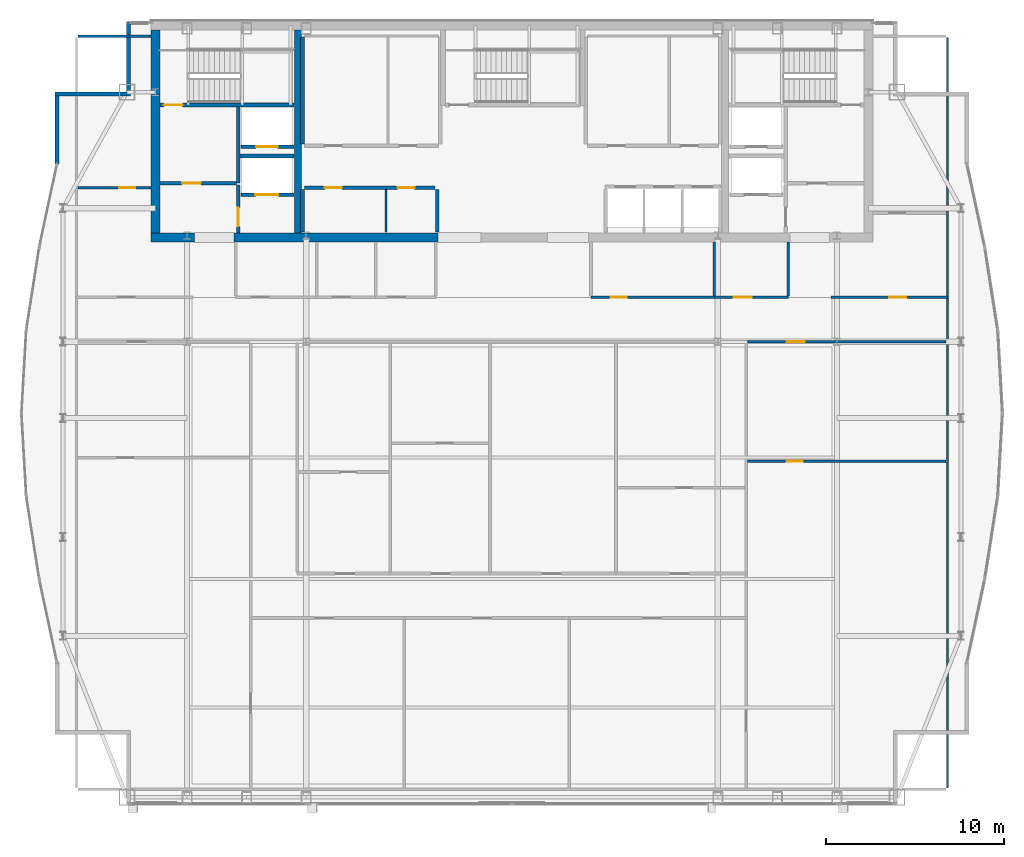
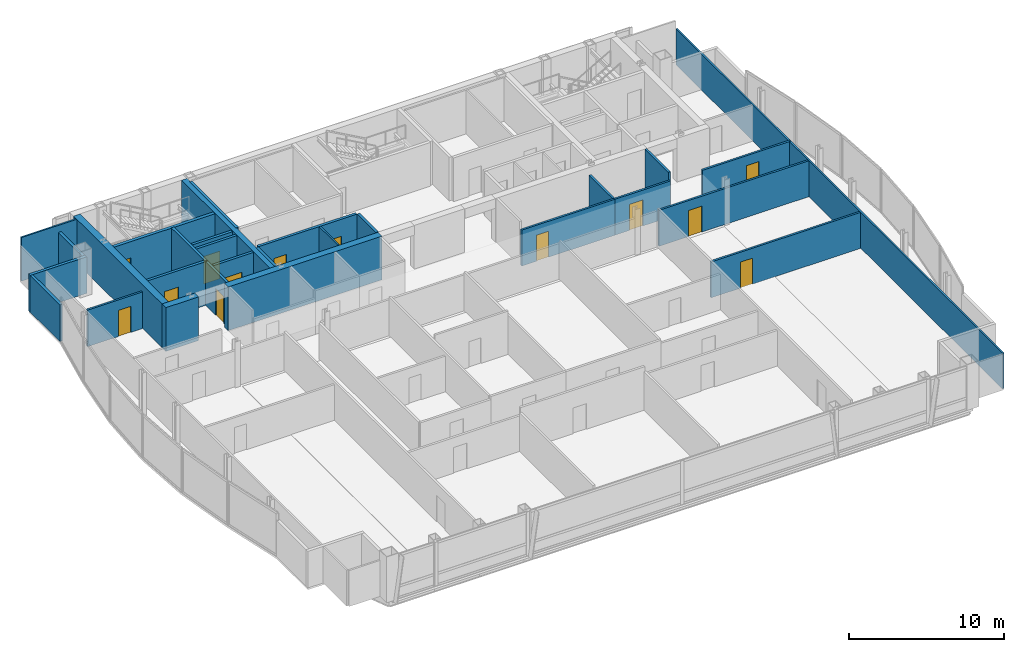
# One storey, part 25 of 29: 29 walls, 13 doors, 13 openings.
"""IFC4 building model written with IfcOpenShell, lengths in metres."""

from ifc_helpers import new_model, si_unit, direction, frame, frame_2d, origin, place, context, subcontext, project, spatial, rectangle, extrude, material, layer, layer_set, type_object, element, fill, save


model = new_model("IFC4")

# Units and contexts
model_context = context("Model", 3, precision=1e-05, world=origin(), true_north=direction((0.0, 1.0)))
body_context = subcontext(model_context, "Body", "Model", "MODEL_VIEW")
ifc_project = project(units=[si_unit("LENGTHUNIT", "METRE"), si_unit("AREAUNIT", "SQUARE_METRE"), si_unit("VOLUMEUNIT", "CUBIC_METRE"), si_unit("PLANEANGLEUNIT", "RADIAN"), si_unit("MASSUNIT", "GRAM", prefix="KILO")], contexts=[model_context])

# Site, building, storey
site_placement = place(None, origin())
site = spatial("IfcSite", under=ifc_project, at=site_placement, CompositionType="ELEMENT")
building_placement = place(site_placement, origin())
building = spatial("IfcBuilding", under=site, at=building_placement, Name="Khoronbel Lancet Exchange", CompositionType="ELEMENT")
storey_placement = place(building_placement, frame((0.0, 0.0, 329.0)))
storey = spatial("IfcBuildingStorey", under=building, at=storey_placement, Name="L85", CompositionType="ELEMENT", Elevation=329.0)

# Walls
ifc_material_1 = material(Name="Concrete C60/75", Category="concrete")
ifc_layer_1 = layer(ifc_material_1, 0.5, Name="Concrete C60/75")
ifc_layer_set_1 = layer_set([ifc_layer_1], Name="Concrete C60/75")
wall_type_1 = type_object("IfcWallType", Name="WL-CW4", PredefinedType="SHEAR", material=ifc_layer_set_1)
wall_1_placement = place(storey_placement, frame((16.449951171875, 41.800048828125, 0.0), z_axis=(0.0, 0.0, 1.0), x_axis=(0.0, 1.0, 0.0)))
element("IfcWall", 1, at=wall_1_placement, inside=storey, type_object=wall_type_1, Name="Level L85 rear core west shear wall", PredefinedType="SHEAR", context=body_context, shape_type="SweptSolid", body=[
    extrude(rectangle(XDim=11.39990234375, YDim=0.5, at=frame_2d((5.699951171875, 0.0))), origin(), (0.0, 0.0, 1.0), 3.43994140625),
])
wall_2_placement = place(storey_placement, frame((18.64990234375, 41.550048828125, 0.0), z_axis=(0.0, 0.0, 1.0), x_axis=(-1.0, 0.0, 0.0)))
element("IfcWall", 2, at=wall_2_placement, inside=storey, type_object=wall_type_1, Name="Level L85 rear core south shear wall pier P1", PredefinedType="SHEAR", context=body_context, shape_type="SweptSolid", body=[
    extrude(rectangle(XDim=2.449951171875, YDim=0.5, at=frame_2d((1.22509765625, 0.0))), origin(), (0.0, 0.0, 1.0), 3.43994140625),
])
wall_3_placement = place(storey_placement, frame((32.300048828125, 41.550048828125, 0.0), z_axis=(0.0, 0.0, 1.0), x_axis=(-1.0, 0.0, 0.0)))
element("IfcWall", 3, at=wall_3_placement, inside=storey, type_object=wall_type_1, Name="Level L85 rear core south shear wall pier P2", PredefinedType="SHEAR", context=body_context, shape_type="SweptSolid", body=[
    extrude(rectangle(XDim=11.449951171875, YDim=0.5, at=frame_2d((5.72509765625, 0.0))), origin(), (0.0, 0.0, 1.0), 3.43994140625),
])
ifc_material_2 = material(Name="Precast concrete C40/50", Category="concrete")
ifc_layer_2 = layer(ifc_material_2, 0.25, Name="Precast concrete C40/50")
ifc_layer_set_2 = layer_set([ifc_layer_2], Name="Precast concrete C40/50")
wall_type_2 = type_object("IfcWallType", Name="WL-EXT250", PredefinedType="SOLIDWALL", material=ifc_layer_set_2)
wall_4_placement = place(storey_placement, frame((10.93994140625, 45.67041015625, 0.0), z_axis=(0.0, 0.0, 1.0), x_axis=(0.0, 1.0, 0.0)))
element("IfcWall", 4, at=wall_4_placement, inside=storey, type_object=wall_type_2, Name="Level L85 notched-corner limestone pier 10", PredefinedType="SOLIDWALL", context=body_context, shape_type="SweptSolid", body=[
    extrude(rectangle(XDim=3.82958984375, YDim=0.219970703125, at=frame_2d((1.914794921875, 0.0))), origin(), (0.0, 0.0, 1.0), 2.8798828125),
])
wall_5_placement = place(storey_placement, frame((10.830078125, 49.610107421875, 0.0), z_axis=(0.0, 0.0, 1.0), x_axis=(1.0, 0.0, 0.0)))
element("IfcWall", 5, at=wall_5_placement, inside=storey, type_object=wall_type_2, Name="Level L85 notched-corner limestone pier 11", PredefinedType="SOLIDWALL", context=body_context, shape_type="SweptSolid", body=[
    extrude(rectangle(XDim=4.219970703125, YDim=0.219970703125, at=frame_2d((2.10986328125, 0.0))), origin(), (0.0, 0.0, 1.0), 2.8798828125),
])
wall_6_placement = place(storey_placement, frame((14.93994140625, 49.719970703125, 0.0), z_axis=(0.0, 0.0, 1.0), x_axis=(0.0, 1.0, 0.0)))
element("IfcWall", 6, at=wall_6_placement, inside=storey, type_object=wall_type_2, Name="Level L85 notched-corner limestone pier 12", PredefinedType="SOLIDWALL", context=body_context, shape_type="SweptSolid", body=[
    extrude(rectangle(XDim=3.909912109375, YDim=0.219970703125, at=frame_2d((1.955078125, 0.0))), origin(), (0.0, 0.0, 1.0), 2.8798828125),
])
ifc_material_3 = material(Name="Acoustic Metal-Stud & Mineral-Wool Gypsum Partition 120 mm", Category="gypsum")
ifc_layer_3 = layer(ifc_material_3, 0.1201171875, Name="Acoustic Metal-Stud & Mineral-Wool Gypsum Partition 120 mm")
ifc_layer_set_3 = layer_set([ifc_layer_3], Name="Acoustic Metal-Stud & Mineral-Wool Gypsum Partition 120 mm")
wall_type_3 = type_object("IfcWallType", Name="WL-PRT120", PredefinedType="PARTITIONING", material=ifc_layer_set_3)
wall_7_placement = place(storey_placement, frame((47.800048828125, 38.280029296875, 0.0), z_axis=(0.0, 0.0, 1.0), x_axis=(0.0, 1.0, 0.0)))
element("IfcWall", 7, at=wall_7_placement, inside=storey, type_object=wall_type_3, Name="Level L85 interior partition PW-NP-M", PredefinedType="PARTITIONING", context=body_context, shape_type="SweptSolid", body=[
    extrude(rectangle(XDim=3.02001953125, YDim=0.14990234375, at=frame_2d((1.510009765625, 0.0))), origin(), (0.0, 0.0, 1.0), 2.830078125),
])
wall_8_placement = place(storey_placement, frame((51.949951171875, 38.280029296875, 0.0), z_axis=(0.0, 0.0, 1.0), x_axis=(0.0, 1.0, 0.0)))
element("IfcWall", 8, at=wall_8_placement, inside=storey, type_object=wall_type_3, Name="Level L85 interior partition PW-NP-1", PredefinedType="PARTITIONING", context=body_context, shape_type="SweptSolid", body=[
    extrude(rectangle(XDim=3.02001953125, YDim=0.14990234375, at=frame_2d((1.510009765625, 0.0))), origin(), (0.0, 0.0, 1.0), 3.43994140625),
])

# Wall, opening, door
wall_9_placement = place(storey_placement, frame((12.094970703125, 44.35009765625, 0.0), z_axis=(0.0, 0.0, 1.0), x_axis=(1.0, 0.0, 0.0)))
wall_9 = element("IfcWall", 9, at=wall_9_placement, inside=storey, type_object=wall_type_3, Name="Level L85 interior partition PW-NW-H", PredefinedType="PARTITIONING", context=body_context, shape_type="SweptSolid", body=[
    extrude(rectangle(XDim=4.10498046875, YDim=0.14990234375, at=frame_2d((2.052490234375, 0.0))), origin(), (0.0, 0.0, 1.0), 2.8798828125),
])
opening_1_placement = place(wall_9_placement, frame((2.320068359375, 0.0, 0.0)))
opening_1 = element("IfcOpeningElement", 10, at=opening_1_placement, cuts=wall_9, Name="Opening D5", PredefinedType="OPENING", context=body_context, shape_type="SweptSolid", body=[
    extrude(rectangle(XDim=0.89990234375, YDim=2.050048828125, at=frame_2d((0.449951171875, 1.02490234375))), frame((0.0, 0.0849609375, 0.0), z_axis=(0.0, -1.0, 0.0), x_axis=(1.0, 0.0, 0.0)), (0.0, 0.0, 1.0), 0.169921875),
])
ifc_material_4 = material(Name="Acoustic Timber Pantry & Support Door", Category="wood")
door_type_1 = type_object("IfcDoorType", Name="DR-D5", OperationType="NOTDEFINED", PredefinedType="DOOR", material=ifc_material_4)
door_1_placement = place(opening_1_placement, origin())
door_1 = element("IfcDoor", 11, at=door_1_placement, inside=storey, type_object=door_type_1, Name="NW north room door L85-1", OperationType="SINGLE_SWING_LEFT", OverallHeight=2.050048828125, OverallWidth=0.89990234375, PredefinedType="DOOR", context=body_context, shape_type="SweptSolid", body=[
    extrude(rectangle(XDim=0.89990234375, YDim=2.050048828125, at=frame_2d((0.449951171875, 1.02490234375))), frame((0.0, 0.02490234375, 0.0), z_axis=(0.0, -1.0, 0.0), x_axis=(1.0, 0.0, 0.0)), (0.0, 0.0, 1.0), 0.050048828125),
])
fill(opening_1, door_1)

wall_10_placement = place(storey_placement, frame((49.659912109375, 29.0, 0.0), z_axis=(0.0, 0.0, 1.0), x_axis=(1.0, 0.0, 0.0)))
wall_10 = element("IfcWall", 12, at=wall_10_placement, inside=storey, type_object=wall_type_3, Name="Level L85 interior partition PW-Z4-EH", PredefinedType="PARTITIONING", context=body_context, shape_type="SweptSolid", body=[
    extrude(rectangle(XDim=11.14501953125, YDim=0.14990234375, at=frame_2d((5.572509765625, 0.0))), origin(), (0.0, 0.0, 1.0), 2.830078125),
])
opening_2_placement = place(wall_10_placement, frame((2.199951171875, 0.0, 0.0)))
opening_2 = element("IfcOpeningElement", 13, at=opening_2_placement, cuts=wall_10, Name="Opening D5", PredefinedType="OPENING", context=body_context, shape_type="SweptSolid", body=[
    extrude(rectangle(XDim=0.89990234375, YDim=2.050048828125, at=frame_2d((0.449951171875, 1.02490234375))), frame((0.0, 0.0849609375, 0.0), z_axis=(0.0, -1.0, 0.0), x_axis=(1.0, 0.0, 0.0)), (0.0, 0.0, 1.0), 0.169921875),
])
door_2_placement = place(opening_2_placement, origin())
door_2 = element("IfcDoor", 14, at=door_2_placement, inside=storey, type_object=door_type_1, Name="East lens inner door L85-1", OperationType="SINGLE_SWING_RIGHT", OverallHeight=2.050048828125, OverallWidth=0.89990234375, PredefinedType="DOOR", context=body_context, shape_type="SweptSolid", body=[
    extrude(rectangle(XDim=0.89990234375, YDim=2.050048828125, at=frame_2d((0.449951171875, 1.02490234375))), frame((0.0, 0.02490234375, 0.0), z_axis=(0.0, -1.0, 0.0), x_axis=(1.0, 0.0, 0.0)), (0.0, 0.0, 1.0), 0.050048828125),
])
fill(opening_2, door_2)

# Walls
wall_11_placement = place(storey_placement, frame((60.8701171875, 10.6650390625, 0.0), z_axis=(0.0, 0.0, 1.0), x_axis=(0.0, 1.0, 0.0)))
element("IfcWall", 15, at=wall_11_placement, inside=storey, type_object=wall_type_3, Name="Level L85 interior partition PW-LIN-E", PredefinedType="PARTITIONING", context=body_context, shape_type="SweptSolid", body=[
    extrude(rectangle(XDim=42.10986328125, YDim=0.1201171875, at=frame_2d((21.054931640625, 0.0))), origin(), (0.0, 0.0, 1.0), 2.830078125),
])
wall_12_placement = place(storey_placement, frame((12.094970703125, 52.840087890625, 0.0), z_axis=(0.0, 0.0, 1.0), x_axis=(1.0, 0.0, 0.0)))
element("IfcWall", 16, at=wall_12_placement, inside=storey, type_object=wall_type_3, Name="Level L85 interior partition PW-LIN-NW", PredefinedType="PARTITIONING", context=body_context, shape_type="SweptSolid", body=[
    extrude(rectangle(XDim=4.10498046875, YDim=0.1201171875, at=frame_2d((2.052490234375, 0.0))), origin(), (0.0, 0.0, 1.0), 3.43994140625),
])
ifc_material_5 = material(Name="Fire-Rated Metal-Stud & Mineral-Wool Gypsum Partition 120 mm", Category="gypsum")
ifc_layer_4 = layer(ifc_material_5, 0.1201171875, Name="Fire-Rated Metal-Stud & Mineral-Wool Gypsum Partition 120 mm")
ifc_layer_set_4 = layer_set([ifc_layer_4], Name="Fire-Rated Metal-Stud & Mineral-Wool Gypsum Partition 120 mm")
wall_type_4 = type_object("IfcWallType", Name="WL-PRT120F", PredefinedType="PARTITIONING", material=ifc_layer_set_4)
wall_13_placement = place(storey_placement, frame((29.381103515625, 41.85009765625, 0.0), z_axis=(0.0, 0.0, 1.0), x_axis=(0.0, 1.0, 0.0)))
element("IfcWall", 17, at=wall_13_placement, inside=storey, type_object=wall_type_4, Name="Level L85 interior partition CW-PM-RS2", PredefinedType="PARTITIONING", context=body_context, shape_type="SweptSolid", body=[
    extrude(rectangle(XDim=2.39501953125, YDim=0.1201171875, at=frame_2d((1.197509765625, 0.0))), origin(), (0.0, 0.0, 1.0), 3.43994140625),
])

# Wall, opening, door
ifc_material_6 = material(Name="Fire-Rated Twin-Stud Acoustic Gypsum Partition 150 mm", Category="gypsum")
ifc_layer_5 = layer(ifc_material_6, 0.14990234375, Name="Fire-Rated Twin-Stud Acoustic Gypsum Partition 150 mm")
ifc_layer_set_5 = layer_set([ifc_layer_5], Name="Fire-Rated Twin-Stud Acoustic Gypsum Partition 150 mm")
wall_type_5 = type_object("IfcWallType", Name="WL-PRT150C", PredefinedType="PARTITIONING", material=ifc_layer_set_5)
wall_14_placement = place(storey_placement, frame((40.8798828125, 38.199951171875, 0.0), z_axis=(0.0, 0.0, 1.0), x_axis=(1.0, 0.0, 0.0)))
wall_14 = element("IfcWall", 18, at=wall_14_placement, inside=storey, type_object=wall_type_5, Name="Level L85 interior partition PW-NP-S1", PredefinedType="PARTITIONING", context=body_context, shape_type="SweptSolid", body=[
    extrude(rectangle(XDim=6.920166015625, YDim=0.14990234375, at=frame_2d((3.4599609375, 0.0))), origin(), (0.0, 0.0, 1.0), 2.830078125),
])
opening_3_placement = place(wall_14_placement, frame((1.10009765625, 0.0, 0.0)))
opening_3 = element("IfcOpeningElement", 19, at=opening_3_placement, cuts=wall_14, Name="Opening D5", PredefinedType="OPENING", context=body_context, shape_type="SweptSolid", body=[
    extrude(rectangle(XDim=0.89990234375, YDim=2.050048828125, at=frame_2d((0.449951171875, 1.02490234375))), frame((0.0, 0.0849609375, 0.0), z_axis=(0.0, -1.0, 0.0), x_axis=(1.0, 0.0, 0.0)), (0.0, 0.0, 1.0), 0.169921875),
])
door_3_placement = place(opening_3_placement, origin())
door_3 = element("IfcDoor", 20, at=door_3_placement, inside=storey, type_object=door_type_1, Name="Floor refreshment pantry door L85-1", OperationType="SINGLE_SWING_LEFT", OverallHeight=2.050048828125, OverallWidth=0.89990234375, PredefinedType="DOOR", context=body_context, shape_type="SweptSolid", body=[
    extrude(rectangle(XDim=0.89990234375, YDim=2.050048828125, at=frame_2d((0.449951171875, 1.02490234375))), frame((0.0, 0.02490234375, 0.0), z_axis=(0.0, -1.0, 0.0), x_axis=(1.0, 0.0, 0.0)), (0.0, 0.0, 1.0), 0.050048828125),
])
fill(opening_3, door_3)

wall_15_placement = place(storey_placement, frame((47.800048828125, 38.199951171875, 0.0), z_axis=(0.0, 0.0, 1.0), x_axis=(1.0, 0.0, 0.0)))
wall_15 = element("IfcWall", 21, at=wall_15_placement, inside=storey, type_object=wall_type_5, Name="Level L85 interior partition PW-NP-S2", PredefinedType="PARTITIONING", context=body_context, shape_type="SweptSolid", body=[
    extrude(rectangle(XDim=4.14990234375, YDim=0.14990234375, at=frame_2d((2.074951171875, 0.0))), origin(), (0.0, 0.0, 1.0), 2.830078125),
])
opening_4_placement = place(wall_15_placement, frame((1.10009765625, 0.0, 0.0)))
opening_4 = element("IfcOpeningElement", 22, at=opening_4_placement, cuts=wall_15, Name="Opening D2", PredefinedType="OPENING", context=body_context, shape_type="SweptSolid", body=[
    extrude(rectangle(XDim=1.0, YDim=2.050048828125, at=frame_2d((0.5, 1.02490234375))), frame((0.0, 0.0849609375, 0.0), z_axis=(0.0, -1.0, 0.0), x_axis=(1.0, 0.0, 0.0)), (0.0, 0.0, 1.0), 0.169921875),
])
ifc_material_7 = material(Name="Acoustic Veneered Timber & Bronze Frame Door", Category="wood")
door_type_2 = type_object("IfcDoorType", Name="DR-D2", OperationType="NOTDEFINED", PredefinedType="DOOR", material=ifc_material_7)
door_4_placement = place(opening_4_placement, origin())
door_4 = element("IfcDoor", 23, at=door_4_placement, inside=storey, type_object=door_type_2, Name="Floor store door L85-1", OperationType="SINGLE_SWING_RIGHT", OverallHeight=2.050048828125, OverallWidth=1.0, PredefinedType="DOOR", context=body_context, shape_type="SweptSolid", body=[
    extrude(rectangle(XDim=1.0, YDim=2.050048828125, at=frame_2d((0.5, 1.02490234375))), frame((0.0, 0.02490234375, 0.0), z_axis=(0.0, -1.0, 0.0), x_axis=(1.0, 0.0, 0.0)), (0.0, 0.0, 1.0), 0.050048828125),
])
fill(opening_4, door_4)

wall_16_placement = place(storey_placement, frame((54.35009765625, 38.199951171875, 0.0), z_axis=(0.0, 0.0, 1.0), x_axis=(1.0, 0.0, 0.0)))
wall_16 = element("IfcWall", 24, at=wall_16_placement, inside=storey, type_object=wall_type_5, Name="Level L85 interior partition PW-NE-S", PredefinedType="PARTITIONING", context=body_context, shape_type="SweptSolid", body=[
    extrude(rectangle(XDim=6.52001953125, YDim=0.14990234375, at=frame_2d((3.260009765625, 0.0))), origin(), (0.0, 0.0, 1.0), 2.830078125),
])
opening_5_placement = place(wall_16_placement, frame((3.25, 0.0, 0.0)))
opening_5 = element("IfcOpeningElement", 25, at=opening_5_placement, cuts=wall_16, Name="Opening D1", PredefinedType="OPENING", context=body_context, shape_type="SweptSolid", body=[
    extrude(rectangle(XDim=0.949951171875, YDim=2.050048828125, at=frame_2d((0.47509765625, 1.02490234375))), frame((0.0, 0.0849609375, 0.0), z_axis=(0.0, -1.0, 0.0), x_axis=(1.0, 0.0, 0.0)), (0.0, 0.0, 1.0), 0.169921875),
])
door_type_3 = type_object("IfcDoorType", Name="DR-D1", OperationType="NOTDEFINED", PredefinedType="DOOR", material=ifc_material_7)
door_5_placement = place(opening_5_placement, origin())
door_5 = element("IfcDoor", 26, at=door_5_placement, inside=storey, type_object=door_type_3, Name="NE corner room door L85-1", OperationType="SINGLE_SWING_RIGHT", OverallHeight=2.050048828125, OverallWidth=0.949951171875, PredefinedType="DOOR", context=body_context, shape_type="SweptSolid", body=[
    extrude(rectangle(XDim=0.949951171875, YDim=2.050048828125, at=frame_2d((0.47509765625, 1.02490234375))), frame((0.0, 0.02490234375, 0.0), z_axis=(0.0, -1.0, 0.0), x_axis=(1.0, 0.0, 0.0)), (0.0, 0.0, 1.0), 0.050048828125),
])
fill(opening_5, door_5)

wall_17_placement = place(storey_placement, frame((49.659912109375, 35.699951171875, 0.0), z_axis=(0.0, 0.0, 1.0), x_axis=(1.0, 0.0, 0.0)))
wall_17 = element("IfcWall", 27, at=wall_17_placement, inside=storey, type_object=wall_type_5, Name="Level L85 interior partition PW-Z4-EN2", PredefinedType="PARTITIONING", context=body_context, shape_type="SweptSolid", body=[
    extrude(rectangle(XDim=11.14501953125, YDim=0.14990234375, at=frame_2d((5.572509765625, 0.0))), origin(), (0.0, 0.0, 1.0), 2.830078125),
])
opening_6_placement = place(wall_17_placement, frame((2.199951171875, 0.0, 0.0)))
opening_6 = element("IfcOpeningElement", 28, at=opening_6_placement, cuts=wall_17, Name="Opening D2", PredefinedType="OPENING", context=body_context, shape_type="SweptSolid", body=[
    extrude(rectangle(XDim=1.0, YDim=2.050048828125, at=frame_2d((0.5, 1.02490234375))), frame((0.0, 0.0849609375, 0.0), z_axis=(0.0, -1.0, 0.0), x_axis=(1.0, 0.0, 0.0)), (0.0, 0.0, 1.0), 0.169921875),
])
door_6_placement = place(opening_6_placement, origin())
door_6 = element("IfcDoor", 29, at=door_6_placement, inside=storey, type_object=door_type_2, Name="East lens north door L85-1", OperationType="SINGLE_SWING_LEFT", OverallHeight=2.050048828125, OverallWidth=1.0, PredefinedType="DOOR", context=body_context, shape_type="SweptSolid", body=[
    extrude(rectangle(XDim=1.0, YDim=2.050048828125, at=frame_2d((0.5, 1.02490234375))), frame((0.0, 0.02490234375, 0.0), z_axis=(0.0, -1.0, 0.0), x_axis=(1.0, 0.0, 0.0)), (0.0, 0.0, 1.0), 0.050048828125),
])
fill(opening_6, door_6)

ifc_material_8 = material(Name="Autoclaved Aerated Concrete Blockwork 200 mm", Category="masonry")
ifc_layer_6 = layer(ifc_material_8, 0.199951171875, Name="Autoclaved Aerated Concrete Blockwork 200 mm")
ifc_layer_set_6 = layer_set([ifc_layer_6], Name="Autoclaved Aerated Concrete Blockwork 200 mm")
wall_type_6 = type_object("IfcWallType", Name="WL-PRT200", PredefinedType="PARTITIONING", material=ifc_layer_set_6)
wall_18_placement = place(storey_placement, frame((24.2099609375, 43.949951171875, 0.0), z_axis=(0.0, 0.0, 1.0), x_axis=(-1.0, 0.0, 0.0)))
wall_18 = element("IfcWall", 30, at=wall_18_placement, inside=storey, type_object=wall_type_6, Name="Level L85 elevator hoistway landing front wall SVLW", PredefinedType="PARTITIONING", context=body_context, shape_type="SweptSolid", body=[
    extrude(rectangle(XDim=2.969970703125, YDim=0.199951171875, at=frame_2d((1.48486328125, 0.0))), origin(), (0.0, 0.0, 1.0), 3.43994140625),
])
opening_7_placement = place(wall_18_placement, frame((0.860107421875, 0.0, 0.0)))
opening_7 = element("IfcOpeningElement", 31, at=opening_7_placement, cuts=wall_18, Name="Opening LD-SVL1", PredefinedType="OPENING", context=body_context, shape_type="SweptSolid", body=[
    extrude(rectangle(XDim=1.300048828125, YDim=2.179931640625, at=frame_2d((0.64990234375, 1.08984375))), frame((0.0, 0.10986328125, 0.0), z_axis=(0.0, -1.0, 0.0), x_axis=(1.0, 0.0, 0.0)), (0.0, 0.0, 1.0), 0.219970703125),
])
ifc_material_9 = material(Name="Heavy-Duty Bi-Parting Goods Lift Landing Door", Category="steel")
door_type_4 = type_object("IfcDoorType", Name="DR-LD-SVL", OperationType="NOTDEFINED", PredefinedType="DOOR", material=ifc_material_9)
door_7_placement = place(opening_7_placement, origin())
door_7 = element("IfcDoor", 32, at=door_7_placement, inside=storey, type_object=door_type_4, Name="Elevator landing sliding door LD-SVL1 L85", OperationType="SLIDING_TO_LEFT", OverallHeight=2.179931640625, OverallWidth=1.300048828125, PredefinedType="DOOR", context=body_context, shape_type="SweptSolid", body=[
    extrude(rectangle(XDim=1.300048828125, YDim=2.179931640625, at=frame_2d((0.64990234375, 1.08984375))), frame((0.0, 0.02490234375, 0.0), z_axis=(0.0, -1.0, 0.0), x_axis=(1.0, 0.0, 0.0)), (0.0, 0.0, 1.0), 0.050048828125),
])
fill(opening_7, door_7)

wall_19_placement = place(storey_placement, frame((24.2099609375, 46.64990234375, 0.0), z_axis=(0.0, 0.0, 1.0), x_axis=(-1.0, 0.0, 0.0)))
wall_19 = element("IfcWall", 33, at=wall_19_placement, inside=storey, type_object=wall_type_6, Name="Level L85 elevator hoistway landing front wall FFLW", PredefinedType="PARTITIONING", context=body_context, shape_type="SweptSolid", body=[
    extrude(rectangle(XDim=2.969970703125, YDim=0.199951171875, at=frame_2d((1.48486328125, 0.0))), origin(), (0.0, 0.0, 1.0), 3.43994140625),
])
opening_8_placement = place(wall_19_placement, frame((0.909912109375, 0.0, 0.0)))
opening_8 = element("IfcOpeningElement", 34, at=opening_8_placement, cuts=wall_19, Name="Opening LD-FFL1", PredefinedType="OPENING", context=body_context, shape_type="SweptSolid", body=[
    extrude(rectangle(XDim=1.199951171875, YDim=2.179931640625, at=frame_2d((0.60009765625, 1.08984375))), frame((0.0, 0.10986328125, 0.0), z_axis=(0.0, -1.0, 0.0), x_axis=(1.0, 0.0, 0.0)), (0.0, 0.0, 1.0), 0.219970703125),
])
ifc_material_10 = material(Name="Fire-Rated Stainless Bi-Parting Firefighting Lift Door", Category="steel")
door_type_5 = type_object("IfcDoorType", Name="DR-LD-FFL", OperationType="NOTDEFINED", PredefinedType="DOOR", material=ifc_material_10)
door_8_placement = place(opening_8_placement, origin())
door_8 = element("IfcDoor", 35, at=door_8_placement, inside=storey, type_object=door_type_5, Name="Elevator landing sliding door LD-FFL1 L85", OperationType="SLIDING_TO_LEFT", OverallHeight=2.179931640625, OverallWidth=1.199951171875, PredefinedType="DOOR", context=body_context, shape_type="SweptSolid", body=[
    extrude(rectangle(XDim=1.199951171875, YDim=2.179931640625, at=frame_2d((0.60009765625, 1.08984375))), frame((0.0, 0.02490234375, 0.0), z_axis=(0.0, -1.0, 0.0), x_axis=(1.0, 0.0, 0.0)), (0.0, 0.0, 1.0), 0.050048828125),
])
fill(opening_8, door_8)

# Wall
wall_20_placement = place(storey_placement, frame((21.10009765625, 44.60009765625, 0.0), z_axis=(0.0, 0.0, 1.0), x_axis=(0.0, 1.0, 0.0)))
element("IfcWall", 36, at=wall_20_placement, inside=storey, type_object=wall_type_6, Name="Level L85 interior partition CW-FFLW-E", PredefinedType="PARTITIONING", context=body_context, shape_type="SweptSolid", body=[
    extrude(rectangle(XDim=4.2998046875, YDim=0.199951171875, at=frame_2d((2.14990234375, 0.0))), origin(), (0.0, 0.0, 1.0), 3.43994140625),
])

# Wall, opening, door
wall_21_placement = place(storey_placement, frame((16.699951171875, 44.60009765625, 0.0), z_axis=(0.0, 0.0, 1.0), x_axis=(1.0, 0.0, 0.0)))
wall_21 = element("IfcWall", 37, at=wall_21_placement, inside=storey, type_object=wall_type_6, Name="Level L85 interior partition CW-FFLW-S", PredefinedType="PARTITIONING", context=body_context, shape_type="SweptSolid", body=[
    extrude(rectangle(XDim=4.300048828125, YDim=0.199951171875, at=frame_2d((2.14990234375, 0.0))), origin(), (0.0, 0.0, 1.0), 3.43994140625),
])
opening_9_placement = place(wall_21_placement, frame((1.25, 0.0, 0.0)))
opening_9 = element("IfcOpeningElement", 38, at=opening_9_placement, cuts=wall_21, Name="Opening FD1", PredefinedType="OPENING", context=body_context, shape_type="SweptSolid", body=[
    extrude(rectangle(XDim=1.050048828125, YDim=2.14990234375, at=frame_2d((0.52490234375, 1.074951171875))), frame((0.0, 0.10986328125, 0.0), z_axis=(0.0, -1.0, 0.0), x_axis=(1.0, 0.0, 0.0)), (0.0, 0.0, 1.0), 0.219970703125),
])
ifc_material_11 = material(Name="Fire-Rated Painted Steel Door Assembly", Category="steel")
door_type_6 = type_object("IfcDoorType", Name="DR-FD1", OperationType="NOTDEFINED", PredefinedType="DOOR", material=ifc_material_11)
door_9_placement = place(opening_9_placement, origin())
door_9 = element("IfcDoor", 39, at=door_9_placement, inside=storey, type_object=door_type_6, Name="West firefighting lobby FD90S door L85-1", OperationType="SINGLE_SWING_RIGHT", OverallHeight=2.14990234375, OverallWidth=1.050048828125, PredefinedType="DOOR", context=body_context, shape_type="SweptSolid", body=[
    extrude(rectangle(XDim=1.050048828125, YDim=2.14990234375, at=frame_2d((0.52490234375, 1.074951171875))), frame((0.0, 0.02490234375, 0.0), z_axis=(0.0, -1.0, 0.0), x_axis=(1.0, 0.0, 0.0)), (0.0, 0.0, 1.0), 0.050048828125),
])
fill(opening_9, door_9)

# Wall
wall_22_placement = place(storey_placement, frame((21.199951171875, 46.1201171875, 0.0), z_axis=(0.0, 0.0, 1.0), x_axis=(1.0, 0.0, 0.0)))
element("IfcWall", 40, at=wall_22_placement, inside=storey, type_object=wall_type_6, Name="Level L85 interior partition CW-FFL1-S", PredefinedType="PARTITIONING", context=body_context, shape_type="SweptSolid", body=[
    extrude(rectangle(XDim=3.02001953125, YDim=0.199951171875, at=frame_2d((1.510009765625, 0.0))), origin(), (0.0, 0.0, 1.0), 3.43994140625),
])

# Wall, opening, door
wall_23_placement = place(storey_placement, frame((21.10009765625, 41.800048828125, 0.0), z_axis=(0.0, 0.0, 1.0), x_axis=(0.0, 1.0, 0.0)))
wall_23 = element("IfcWall", 41, at=wall_23_placement, inside=storey, type_object=wall_type_6, Name="Level L85 interior partition CW-SVLW-W", PredefinedType="PARTITIONING", context=body_context, shape_type="SweptSolid", body=[
    extrude(rectangle(XDim=2.695068359375, YDim=0.199951171875, at=frame_2d((1.34765625, 0.0))), origin(), (0.0, 0.0, 1.0), 3.43994140625),
])
opening_10_placement = place(wall_23_placement, frame((0.3798828125, 0.0, 0.0)))
opening_10 = element("IfcOpeningElement", 42, at=opening_10_placement, cuts=wall_23, Name="Opening FD1", PredefinedType="OPENING", context=body_context, shape_type="SweptSolid", body=[
    extrude(rectangle(XDim=1.050048828125, YDim=2.14990234375, at=frame_2d((0.52490234375, 1.074951171875))), frame((0.0, 0.10986328125, 0.0), z_axis=(0.0, -1.0, 0.0), x_axis=(1.0, 0.0, 0.0)), (0.0, 0.0, 1.0), 0.219970703125),
])
door_10_placement = place(opening_10_placement, origin())
door_10 = element("IfcDoor", 43, at=door_10_placement, inside=storey, type_object=door_type_6, Name="West service lift lobby door L85-1", OperationType="SINGLE_SWING_LEFT", OverallHeight=2.14990234375, OverallWidth=1.050048828125, PredefinedType="DOOR", context=body_context, shape_type="SweptSolid", body=[
    extrude(rectangle(XDim=1.050048828125, YDim=2.14990234375, at=frame_2d((0.52490234375, 1.074951171875))), frame((0.0, 0.02490234375, 0.0), z_axis=(0.0, -1.0, 0.0), x_axis=(1.0, 0.0, 0.0)), (0.0, 0.0, 1.0), 0.050048828125),
])
fill(opening_10, door_10)

# Walls
wall_24_placement = place(storey_placement, frame((24.699951171875, 46.804931640625, 0.0), z_axis=(0.0, 0.0, 1.0), x_axis=(0.0, 1.0, 0.0)))
element("IfcWall", 44, at=wall_24_placement, inside=storey, type_object=wall_type_6, Name="Level L85 interior partition CW-PL-RW", PredefinedType="PARTITIONING", context=body_context, shape_type="SweptSolid", body=[
    extrude(rectangle(XDim=5.989990234375, YDim=0.199951171875, at=frame_2d((2.9951171875, 0.0))), origin(), (0.0, 0.0, 1.0), 3.43994140625),
])
for number, where, z_axis, x_axis, name in (
    (45, (24.699951171875, 41.85009765625, 0.0), (0.0, 0.0, 1.0), (0.0, 1.0, 0.0), "Level L85 interior partition CW-PM-RW"),
    (46, (32.25, 41.85009765625, 0.0), (0.0, 0.0, 1.0), (0.0, 1.0, 0.0), "Level L85 interior partition CW-PM-RE"),
):
    element("IfcWall", number, at=place(storey_placement, frame(where, z_axis=z_axis, x_axis=x_axis)), inside=storey, type_object=wall_type_6, Name=name, PredefinedType="PARTITIONING", context=body_context, shape_type="SweptSolid", body=[
        extrude(rectangle(XDim=2.39501953125, YDim=0.199951171875, at=frame_2d((1.197509765625, 0.0))), origin(), (0.0, 0.0, 1.0), 3.43994140625),
    ])

# Wall, openings, doors
wall_25_placement = place(storey_placement, frame((24.804931640625, 44.35009765625, 0.0), z_axis=(0.0, 0.0, 1.0), x_axis=(1.0, 0.0, 0.0)))
wall_25 = element("IfcWall", 47, at=wall_25_placement, inside=storey, type_object=wall_type_6, Name="Level L85 interior partition CW-PM-RF", PredefinedType="PARTITIONING", context=body_context, shape_type="SweptSolid", body=[
    extrude(rectangle(XDim=7.340087890625, YDim=0.199951171875, at=frame_2d((3.669921875, 0.0))), origin(), (0.0, 0.0, 1.0), 3.43994140625),
])
opening_11_placement = place(wall_25_placement, frame((1.14990234375, 0.0, 0.0)))
opening_11 = element("IfcOpeningElement", 48, at=opening_11_placement, cuts=wall_25, Name="Opening FD3", PredefinedType="OPENING", context=body_context, shape_type="SweptSolid", body=[
    extrude(rectangle(XDim=0.949951171875, YDim=2.10009765625, at=frame_2d((0.47509765625, 1.050048828125))), frame((0.0, 0.10986328125, 0.0), z_axis=(0.0, -1.0, 0.0), x_axis=(1.0, 0.0, 0.0)), (0.0, 0.0, 1.0), 0.219970703125),
])
opening_12_placement = place(wall_25_placement, frame((5.23095703125, 0.0, 0.0)))
opening_12 = element("IfcOpeningElement", 49, at=opening_12_placement, cuts=wall_25, Name="Opening FD3", PredefinedType="OPENING", context=body_context, shape_type="SweptSolid", body=[
    extrude(rectangle(XDim=0.949951171875, YDim=2.10009765625, at=frame_2d((0.47509765625, 1.050048828125))), frame((0.0, 0.10986328125, 0.0), z_axis=(0.0, -1.0, 0.0), x_axis=(1.0, 0.0, 0.0)), (0.0, 0.0, 1.0), 0.219970703125),
])
ifc_material_12 = material(Name="Fire-Rated Steel Plant & Riser Door Assembly", Category="steel")
door_type_7 = type_object("IfcDoorType", Name="DR-FD3", OperationType="NOTDEFINED", PredefinedType="DOOR", material=ifc_material_12)
door_11_placement = place(opening_11_placement, origin())
door_11 = element("IfcDoor", 50, at=door_11_placement, inside=storey, type_object=door_type_7, Name="Reclaimed PM C door L85-1", OperationType="SINGLE_SWING_RIGHT", OverallHeight=2.10009765625, OverallWidth=0.949951171875, PredefinedType="DOOR", context=body_context, shape_type="SweptSolid", body=[
    extrude(rectangle(XDim=0.949951171875, YDim=2.10009765625, at=frame_2d((0.47509765625, 1.050048828125))), frame((0.0, 0.02490234375, 0.0), z_axis=(0.0, -1.0, 0.0), x_axis=(1.0, 0.0, 0.0)), (0.0, 0.0, 1.0), 0.050048828125),
])
fill(opening_11, door_11)
door_12_placement = place(opening_12_placement, origin())
door_12 = element("IfcDoor", 51, at=door_12_placement, inside=storey, type_object=door_type_7, Name="Reclaimed PM D door L85-2", OperationType="SINGLE_SWING_LEFT", OverallHeight=2.10009765625, OverallWidth=0.949951171875, PredefinedType="DOOR", context=body_context, shape_type="SweptSolid", body=[
    extrude(rectangle(XDim=0.949951171875, YDim=2.10009765625, at=frame_2d((0.47509765625, 1.050048828125))), frame((0.0, 0.02490234375, 0.0), z_axis=(0.0, -1.0, 0.0), x_axis=(1.0, 0.0, 0.0)), (0.0, 0.0, 1.0), 0.050048828125),
])
fill(opening_12, door_12)

# Wall
ifc_layer_7 = layer(ifc_material_1, 0.39990234375, Name="Concrete C60/75")
ifc_layer_set_7 = layer_set([ifc_layer_7], Name="Concrete C60/75")
wall_type_7 = type_object("IfcWallType", Name="WL-SW2", PredefinedType="SHEAR", material=ifc_layer_set_7)
wall_26_placement = place(storey_placement, frame((24.449951171875, 41.800048828125, 0.0), z_axis=(0.0, 0.0, 1.0), x_axis=(0.0, 1.0, 0.0)))
element("IfcWall", 52, at=wall_26_placement, inside=storey, type_object=wall_type_7, Name="Level L85 rear core internal spine shear wall IW", PredefinedType="SHEAR", context=body_context, shape_type="SweptSolid", body=[
    extrude(rectangle(XDim=11.39990234375, YDim=0.39990234375, at=frame_2d((5.699951171875, 0.0))), origin(), (0.0, 0.0, 1.0), 3.43994140625),
])

# Wall, opening, door
ifc_layer_8 = layer(ifc_material_1, 0.260009765625, Name="Concrete C60/75")
ifc_layer_set_8 = layer_set([ifc_layer_8], Name="Concrete C60/75")
wall_type_8 = type_object("IfcWallType", Name="WL-SW3", PredefinedType="SHEAR", material=ifc_layer_set_8)
wall_27_placement = place(storey_placement, frame((16.699951171875, 48.97998046875, 0.0), z_axis=(0.0, 0.0, 1.0), x_axis=(1.0, 0.0, 0.0)))
wall_27 = element("IfcWall", 53, at=wall_27_placement, inside=storey, type_object=wall_type_8, Name="Level L85 west stairwell structural south wall", PredefinedType="SHEAR", context=body_context, shape_type="SweptSolid", body=[
    extrude(rectangle(XDim=7.52001953125, YDim=0.239990234375, at=frame_2d((3.760009765625, 0.0))), origin(), (0.0, 0.0, 1.0), 3.43994140625),
])
opening_13_placement = place(wall_27_placement, frame((0.219970703125, 0.0, 0.0)))
opening_13 = element("IfcOpeningElement", 54, at=opening_13_placement, cuts=wall_27, Name="Opening SD1", PredefinedType="OPENING", context=body_context, shape_type="SweptSolid", body=[
    extrude(rectangle(XDim=1.050048828125, YDim=2.14990234375, at=frame_2d((0.52490234375, 1.074951171875))), frame((0.0, 0.1298828125, 0.0), z_axis=(0.0, -1.0, 0.0), x_axis=(1.0, 0.0, 0.0)), (0.0, 0.0, 1.0), 0.260009765625),
])
ifc_material_13 = material(Name="Fire-Rated Steel Stairwell Door Assembly", Category="steel")
door_type_8 = type_object("IfcDoorType", Name="DR-SD1", OperationType="NOTDEFINED", PredefinedType="DOOR", material=ifc_material_13)
door_13_placement = place(opening_13_placement, origin())
door_13 = element("IfcDoor", 55, at=door_13_placement, inside=storey, type_object=door_type_8, Name="Protected exit stair ST1 door L85", OperationType="SINGLE_SWING_LEFT", OverallHeight=2.14990234375, OverallWidth=1.050048828125, PredefinedType="DOOR", context=body_context, shape_type="SweptSolid", body=[
    extrude(rectangle(XDim=1.050048828125, YDim=2.14990234375, at=frame_2d((0.52490234375, 1.074951171875))), frame((0.0, 0.02490234375, 0.0), z_axis=(0.0, -1.0, 0.0), x_axis=(1.0, 0.0, 0.0)), (0.0, 0.0, 1.0), 0.050048828125),
])
fill(opening_13, door_13)

save(model, "model.ifc")
